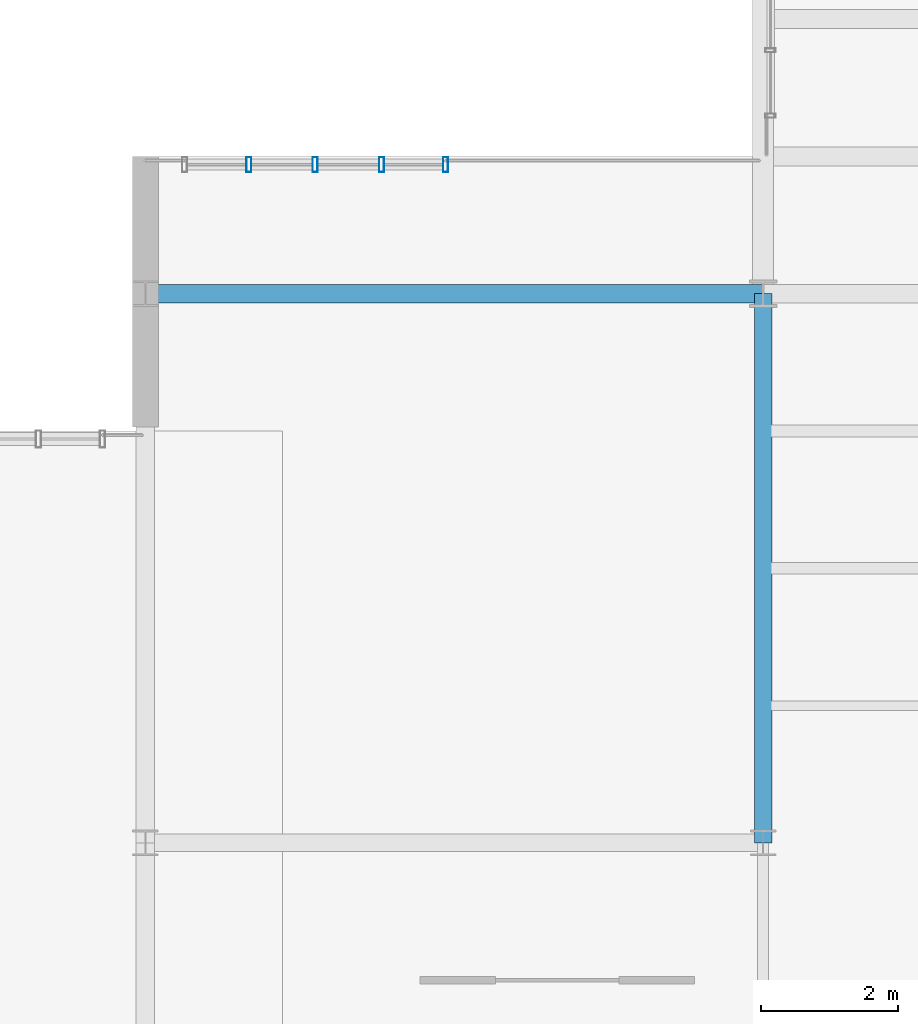
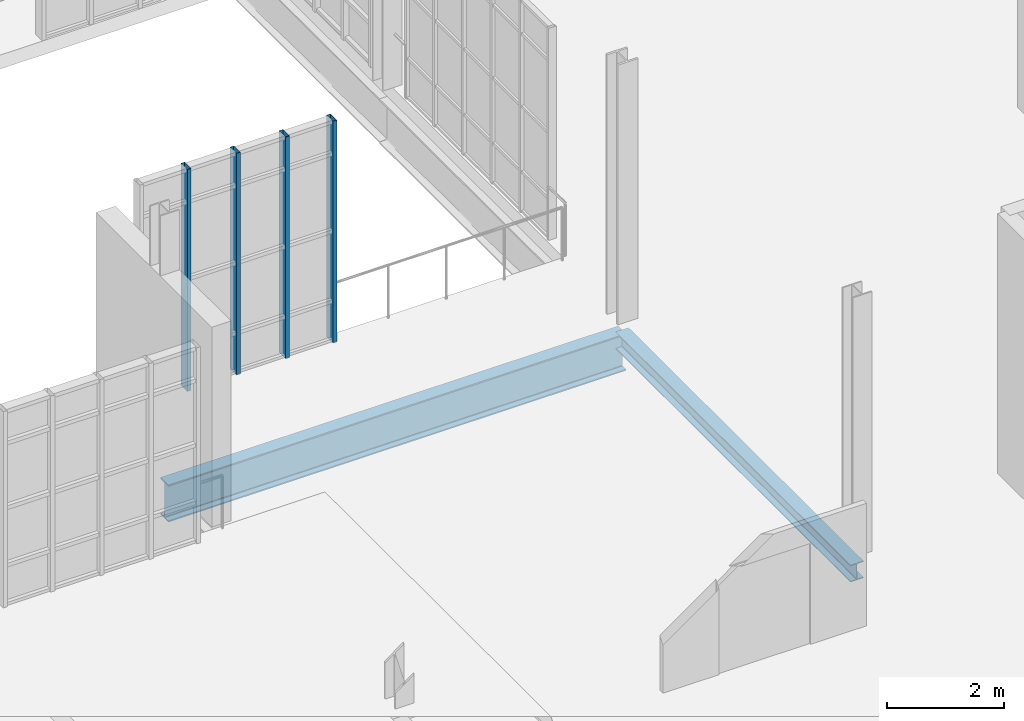
# One storey, part 56 of 189: 4 members, 2 beams, 1 element without a shape of its own.
"""IFC4 building model written with IfcOpenShell, lengths in metres."""

from ifc_helpers import new_model, si_unit, direction, frame, origin, origin_2d, place, context, subcontext, project, spatial, hollow_rectangle, i_section, extrude, material, layer, layer_set, material_profile, profile_set, type_object, element, aggregate, save


model = new_model("IFC4")

# Units and contexts
model_context = context("Model", 3, precision=1e-05, world=origin(), true_north=direction((0.0, 1.0)))
body_context = subcontext(model_context, "Body", "Model", "MODEL_VIEW")
ifc_project = project(units=[si_unit("LENGTHUNIT", "METRE"), si_unit("AREAUNIT", "SQUARE_METRE"), si_unit("VOLUMEUNIT", "CUBIC_METRE"), si_unit("PLANEANGLEUNIT", "RADIAN"), si_unit("MASSUNIT", "GRAM", prefix="KILO"), si_unit("THERMODYNAMICTEMPERATUREUNIT", "KELVIN"), si_unit("POWERUNIT", "WATT")], contexts=[model_context])

# Site, building, storey
site_placement = place(None, origin())
site = spatial("IfcSite", under=ifc_project, at=site_placement, CompositionType="ELEMENT")
building_placement = place(site_placement, origin())
building = spatial("IfcBuilding", under=site, at=building_placement, Name="Zelmaris Science Centre", CompositionType="ELEMENT")
storey_placement = place(building_placement, origin())
storey = spatial("IfcBuildingStorey", under=building, at=storey_placement, Name="L00", CompositionType="ELEMENT", Elevation=0.0)

# Curtain wall, members
ifc_material_1 = material(Name="Anodised architectural aluminium 6063-T6", Category="aluminium")
ifc_layer = layer(ifc_material_1, 0.199951171875, Name="Anodised architectural aluminium 6063-T6")
ifc_layer_set = layer_set([ifc_layer], Name="Anodised architectural aluminium 6063-T6")
curtain_wall_type = type_object("IfcCurtainWallType", Name="Curtain Wall CW-02", PredefinedType="USERDEFINED", material=ifc_layer_set)
curtain_wall_placement = place(storey_placement, origin())
curtain_wall = element("IfcCurtainWall", 1, at=curtain_wall_placement, inside=storey, type_object=curtain_wall_type, Name="L00 Unitised curtain wall 66", ObjectType="GLAZED CURTAIN WALL", PredefinedType="USERDEFINED")
ifc_material_profile_1 = material_profile(ifc_material_1, hollow_rectangle(XDim=0.074951171875, YDim=0.219970703125, WallThickness=0.0048828125, at=origin_2d()), Name="ALU-MUL-75X220")
ifc_profile_set_1 = profile_set([ifc_material_profile_1], Name="Anodised architectural aluminium 6063-T6")
member_type = type_object("IfcMemberType", Name="ALU-MUL-75X220", PredefinedType="MULLION", material=ifc_profile_set_1)
member_1_placement = place(storey_placement, frame((109.507568359375, 33.8798828125, -0.014892578125), z_axis=(0.0, 0.0, 1.0), x_axis=(0.999999999976, 6.981317e-06, 0.0)))
member_1 = element("IfcMember", 2, at=member_1_placement, type_object=member_type, Name="CW-02 mullion 2", PredefinedType="MULLION", context=body_context, shape_type="SweptSolid", body=[
    extrude(hollow_rectangle(XDim=0.074951171875, YDim=0.219970703125, WallThickness=0.0048828125, at=origin_2d()), origin(), (0.0, 0.0, 1.0), 4.614990234375),
])
member_2_placement = place(storey_placement, frame((110.47509765625, 33.8798828125, -0.014892578125), z_axis=(0.0, 0.0, 1.0), x_axis=(0.999999999976, 6.981317e-06, 0.0)))
member_2 = element("IfcMember", 3, at=member_2_placement, type_object=member_type, Name="CW-02 mullion 3", PredefinedType="MULLION", context=body_context, shape_type="SweptSolid", body=[
    extrude(hollow_rectangle(XDim=0.074951171875, YDim=0.219970703125, WallThickness=0.0048828125, at=origin_2d()), origin(), (0.0, 0.0, 1.0), 4.614990234375),
])
member_3_placement = place(storey_placement, frame((111.442626953125, 33.8798828125, -0.014892578125), z_axis=(0.0, 0.0, 1.0), x_axis=(0.999999999976, 6.981317e-06, 0.0)))
member_3 = element("IfcMember", 4, at=member_3_placement, type_object=member_type, Name="CW-02 mullion 4", PredefinedType="MULLION", context=body_context, shape_type="SweptSolid", body=[
    extrude(hollow_rectangle(XDim=0.074951171875, YDim=0.219970703125, WallThickness=0.0048828125, at=origin_2d()), origin(), (0.0, 0.0, 1.0), 4.614990234375),
])
member_4_placement = place(storey_placement, frame((112.37646484375, 33.8798828125, -0.014892578125), z_axis=(0.0, 0.0, 1.0), x_axis=(0.999999999976, 6.981317e-06, 0.0)))
member_4 = element("IfcMember", 5, at=member_4_placement, type_object=member_type, Name="CW-02 mullion 5", PredefinedType="MULLION", context=body_context, shape_type="SweptSolid", body=[
    extrude(hollow_rectangle(XDim=0.074951171875, YDim=0.219970703125, WallThickness=0.0048828125, at=origin_2d()), origin(), (0.0, 0.0, 1.0), 4.614990234375),
])
aggregate(curtain_wall, [member_1, member_2, member_3, member_4])

# Beams
ifc_material_2 = material(Name="Steel ASTM A992 Grade 50", Category="steel")
ifc_material_profile_2 = material_profile(ifc_material_2, i_section(OverallWidth=0.26708984375, OverallDepth=0.77001953125, WebThickness=0.015625, FlangeThickness=0.025390625, FilletRadius=0.01904296875, at=origin_2d()), Name="W30X132")
ifc_profile_set_2 = profile_set([ifc_material_profile_2], Name="Steel ASTM A992 Grade 50")
beam_type_1 = type_object("IfcBeamType", Name="Beam G-09 W30X132", PredefinedType="BEAM", material=ifc_profile_set_2)
beam_1_placement = place(storey_placement, frame((108.0, 32.0, -0.675048828125), z_axis=(1.0, 0.0, 0.0), x_axis=(0.0, 1.0, 0.0)))
element("IfcBeam", 6, at=beam_1_placement, inside=storey, type_object=beam_type_1, Name="L00 East-west girder 128", PredefinedType="BEAM", context=body_context, shape_type="SweptSolid", body=[
    extrude(i_section(OverallWidth=0.26708984375, OverallDepth=0.77001953125, WebThickness=0.015625, FlangeThickness=0.025390625, FilletRadius=0.01904296875, at=origin_2d()), origin(), (0.0, 0.0, 1.0), 9.0),
])
ifc_material_profile_3 = material_profile(ifc_material_2, i_section(OverallWidth=0.25390625, OverallDepth=0.35595703125, WebThickness=0.010498046875, FlangeThickness=0.018310546875, FilletRadius=0.014892578125, at=origin_2d()), Name="W14X68")
ifc_profile_set_3 = profile_set([ifc_material_profile_3], Name="Steel ASTM A992 Grade 50")
beam_type_2 = type_object("IfcBeamType", Name="Beam G-41 W14X68", PredefinedType="BEAM", material=ifc_profile_set_3)
beam_2_placement = place(storey_placement, frame((117.0, 24.0, -0.468017578125), z_axis=(0.0, 1.0, 0.0), x_axis=(-1.0, 0.0, 0.0)))
element("IfcBeam", 7, at=beam_2_placement, inside=storey, type_object=beam_type_2, Name="L00 North-south girder 61", PredefinedType="BEAM", context=body_context, shape_type="SweptSolid", body=[
    extrude(i_section(OverallWidth=0.25390625, OverallDepth=0.35595703125, WebThickness=0.010498046875, FlangeThickness=0.018310546875, FilletRadius=0.014892578125, at=origin_2d()), origin(), (0.0, 0.0, 1.0), 8.0),
])

save(model, "model.ifc")
